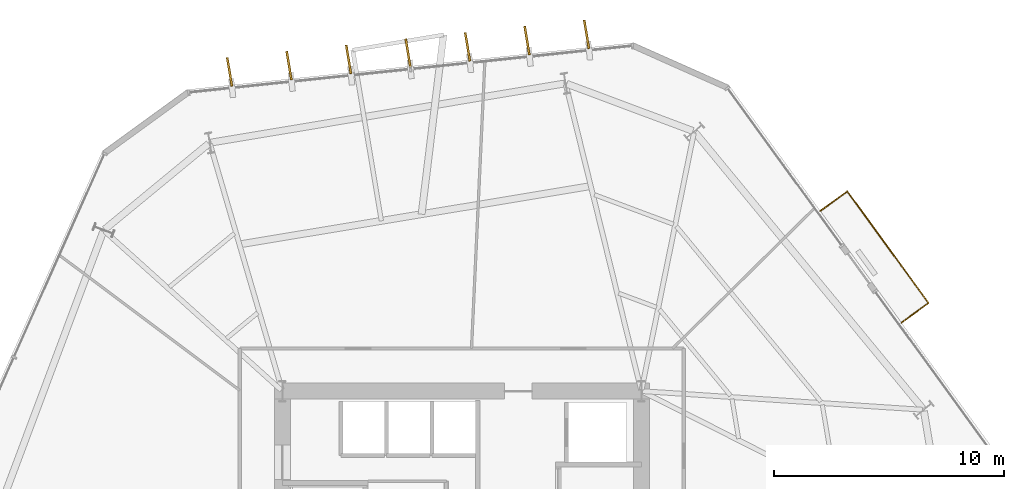
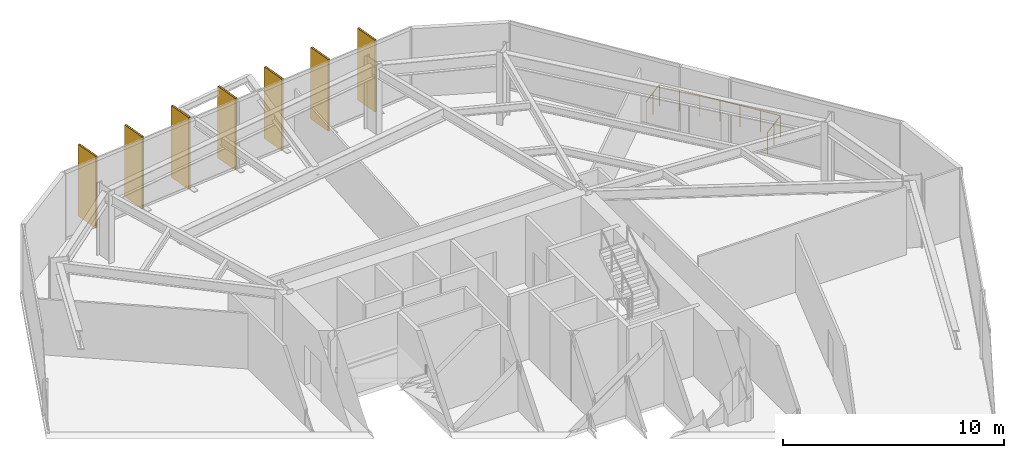
# One storey, part 11 of 11: 7 coverings, 7 shading devices, 1 railing.
"""IFC4 building model written with IfcOpenShell, lengths in metres."""

from ifc_helpers import new_model, si_unit, direction, frame, origin, origin_2d, place, context, subcontext, project, spatial, rectangle, circle, extrude, material, layer, layer_set, type_object, element, save


model = new_model("IFC4")

# Units and contexts
model_context = context("Model", 3, precision=1e-05, world=origin(), true_north=direction((0.0, 1.0)))
body_context = subcontext(model_context, "Body", "Model", "MODEL_VIEW")
ifc_project = project(units=[si_unit("LENGTHUNIT", "METRE"), si_unit("AREAUNIT", "SQUARE_METRE"), si_unit("VOLUMEUNIT", "CUBIC_METRE"), si_unit("PLANEANGLEUNIT", "RADIAN"), si_unit("MASSUNIT", "GRAM", prefix="KILO")], contexts=[model_context])

# Site, building, storey
site_placement = place(None, origin())
site = spatial("IfcSite", under=ifc_project, at=site_placement, CompositionType="ELEMENT")
building_placement = place(site_placement, origin())
building = spatial("IfcBuilding", under=site, at=building_placement, Name="Kranzbogen Civic Tower", CompositionType="ELEMENT")
storey_placement = place(building_placement, frame((0.0, 0.0, 44.0)))
storey = spatial("IfcBuildingStorey", under=building, at=storey_placement, Name="L10", CompositionType="ELEMENT", Elevation=44.0)

# Coverings
ifc_material_1 = material(Name="Pale Anodised Aluminium", Category="aluminium")
ifc_layer = layer(ifc_material_1, 0.02490234375, Name="Pale Anodised Aluminium")
ifc_layer_set = layer_set([ifc_layer], Name="Pale Anodised Aluminium")
covering_type = type_object("IfcCoveringType", Name="Anodised Aluminium Vertical Fin Cladding 25 mm", PredefinedType="CLADDING", material=ifc_layer_set)
for number, where, z_axis, x_axis, name in (
    (1, (30.4208984375, 47.701904296875, -0.139892578125), (0.0, 0.0, 1.0), (-0.161397130983, 0.986889540988, 0.0), "L10 vertical fin pale-metal cladding F2-1"),
    (2, (27.8349609375, 47.430908203125, -0.139892578125), (0.0, 0.0, 1.0), (-0.161397130983, 0.986889540988, 0.0), "L10 vertical fin pale-metal cladding F2-2"),
    (3, (25.2490234375, 47.158935546875, -0.139892578125), (0.0, 0.0, 1.0), (-0.161397130983, 0.986889540988, 0.0), "L10 vertical fin pale-metal cladding F2-3"),
    (4, (22.6630859375, 46.886962890625, -0.139892578125), (0.0, 0.0, 1.0), (-0.161397130983, 0.986889540988, 0.0), "L10 vertical fin pale-metal cladding F2-4"),
    (5, (20.077880859375, 46.614990234375, -0.139892578125), (0.0, 0.0, 1.0), (-0.161397130983, 0.986889540988, 0.0), "L10 vertical fin pale-metal cladding F2-5"),
    (6, (17.491943359375, 46.343994140625, -0.139892578125), (0.0, 0.0, 1.0), (-0.161397130983, 0.986889540988, 0.0), "L10 vertical fin pale-metal cladding F2-6"),
    (7, (14.906005859375, 46.072021484375, -0.139892578125), (0.0, 0.0, 1.0), (-0.161397130983, 0.986889540988, 0.0), "L10 vertical fin pale-metal cladding F2-7"),
):
    element("IfcCovering", number, at=place(storey_placement, frame(where, z_axis=z_axis, x_axis=x_axis)), inside=storey, type_object=covering_type, Name=name, PredefinedType="CLADDING", context=body_context, shape_type="SweptSolid", body=[
        extrude(rectangle(XDim=1.25, YDim=0.10009765625, at=origin_2d()), origin(), (0.0, 0.0, 1.0), 3.9599609375),
    ])

# Shading devices
ifc_material_2 = material(Name="Anodised Bronze Aluminium", Category="aluminium")
shading_device_type = type_object("IfcShadingDeviceType", Name="Anodised Bronze Vertical Facade Fin 1250x80", PredefinedType="USERDEFINED", material=ifc_material_2)
for number, where, z_axis, x_axis, name in (
    (8, (30.4208984375, 47.701904296875, -0.139892578125), (0.0, 0.0, 1.0), (-0.161397130983, 0.986889540988, 0.0), "L10 vertical exterior shading fin F2-1"),
    (9, (27.8349609375, 47.430908203125, -0.139892578125), (0.0, 0.0, 1.0), (-0.161397130983, 0.986889540988, 0.0), "L10 vertical exterior shading fin F2-2"),
    (10, (25.2490234375, 47.158935546875, -0.139892578125), (0.0, 0.0, 1.0), (-0.161397130983, 0.986889540988, 0.0), "L10 vertical exterior shading fin F2-3"),
    (11, (22.6630859375, 46.886962890625, -0.139892578125), (0.0, 0.0, 1.0), (-0.161397130983, 0.986889540988, 0.0), "L10 vertical exterior shading fin F2-4"),
    (12, (20.077880859375, 46.614990234375, -0.139892578125), (0.0, 0.0, 1.0), (-0.161397130983, 0.986889540988, 0.0), "L10 vertical exterior shading fin F2-5"),
    (13, (17.491943359375, 46.343994140625, -0.139892578125), (0.0, 0.0, 1.0), (-0.161397130983, 0.986889540988, 0.0), "L10 vertical exterior shading fin F2-6"),
    (14, (14.906005859375, 46.072021484375, -0.139892578125), (0.0, 0.0, 1.0), (-0.161397130983, 0.986889540988, 0.0), "L10 vertical exterior shading fin F2-7"),
):
    element("IfcShadingDevice", number, at=place(storey_placement, frame(where, z_axis=z_axis, x_axis=x_axis)), inside=storey, type_object=shading_device_type, Name=name, ObjectType="FIN", PredefinedType="USERDEFINED", context=body_context, shape_type="SweptSolid", body=[
        extrude(rectangle(XDim=1.25, YDim=0.080078125, at=origin_2d()), origin(), (0.0, 0.0, 1.0), 3.9599609375),
    ])

# Railing
railing_type = type_object("IfcRailingType", Name="Cantilevered Balcony Glass and Bronze Balustrade 1200", PredefinedType="BALUSTRADE", material=ifc_material_2)
railing_placement = place(storey_placement, frame((44.10693359375, 35.174072265625, 0.0)))
element("IfcRailing", 15, at=railing_placement, inside=storey, type_object=railing_type, Name="L10 exterior terrace balustrade L10-TB2", PredefinedType="BALUSTRADE", context=body_context, shape_type="SweptSolid", body=[
    extrude(circle(Radius=0.02392578125, at=origin_2d()), frame((0.0, 0.0, 1.17578125), z_axis=(0.80918007546, 0.587560724928, 0.0), x_axis=(-0.587560724928, 0.80918007546, 0.0)), (0.0, 0.0, 1.0), 1.44970703125),
    extrude(circle(Radius=0.02392578125, at=origin_2d()), frame((1.173095703125, 0.851806640625, 1.17578125), z_axis=(-0.587835356953, 0.808980588838, 0.0), x_axis=(-0.808980588838, -0.587835356953, 0.0)), (0.0, 0.0, 1.0), 6.000244140625),
    extrude(circle(Radius=0.02392578125, at=origin_2d()), frame((-2.35400390625, 5.705810546875, 1.17578125), z_axis=(-0.809121925947, -0.587640799257, 0.0), x_axis=(0.587640799257, -0.809121925947, 0.0)), (0.0, 0.0, 1.0), 1.449462890625),
    extrude(circle(Radius=0.02099609375, at=origin_2d()), origin(), (0.0, 0.0, 1.0), 1.15185546875),
    extrude(circle(Radius=0.02099609375, at=origin_2d()), frame((0.58642578125, 0.42578125, 0.0)), (0.0, 0.0, 1.0), 1.15185546875),
    extrude(circle(Radius=0.02099609375, at=origin_2d()), frame((1.173095703125, 0.851806640625, 0.0)), (0.0, 0.0, 1.0), 1.15185546875),
    extrude(circle(Radius=0.02099609375, at=origin_2d()), frame((0.585205078125, 1.660888671875, 0.0)), (0.0, 0.0, 1.0), 1.15185546875),
    extrude(circle(Radius=0.02099609375, at=origin_2d()), frame((-0.002685546875, 2.4697265625, 0.0)), (0.0, 0.0, 1.0), 1.15185546875),
    extrude(circle(Radius=0.02099609375, at=origin_2d()), frame((-0.59033203125, 3.27880859375, 0.0)), (0.0, 0.0, 1.0), 1.15185546875),
    extrude(circle(Radius=0.02099609375, at=origin_2d()), frame((-1.17822265625, 4.087890625, 0.0)), (0.0, 0.0, 1.0), 1.15185546875),
    extrude(circle(Radius=0.02099609375, at=origin_2d()), frame((-1.76611328125, 4.896728515625, 0.0)), (0.0, 0.0, 1.0), 1.15185546875),
    extrude(circle(Radius=0.02099609375, at=origin_2d()), frame((-2.35400390625, 5.705810546875, 0.0)), (0.0, 0.0, 1.0), 1.15185546875),
    extrude(circle(Radius=0.02099609375, at=origin_2d()), frame((-2.9404296875, 5.27978515625, 0.0)), (0.0, 0.0, 1.0), 1.15185546875),
    extrude(circle(Radius=0.02099609375, at=origin_2d()), frame((-3.52685546875, 4.85400390625, 0.0)), (0.0, 0.0, 1.0), 1.15185546875),
])

save(model, "model.ifc")
